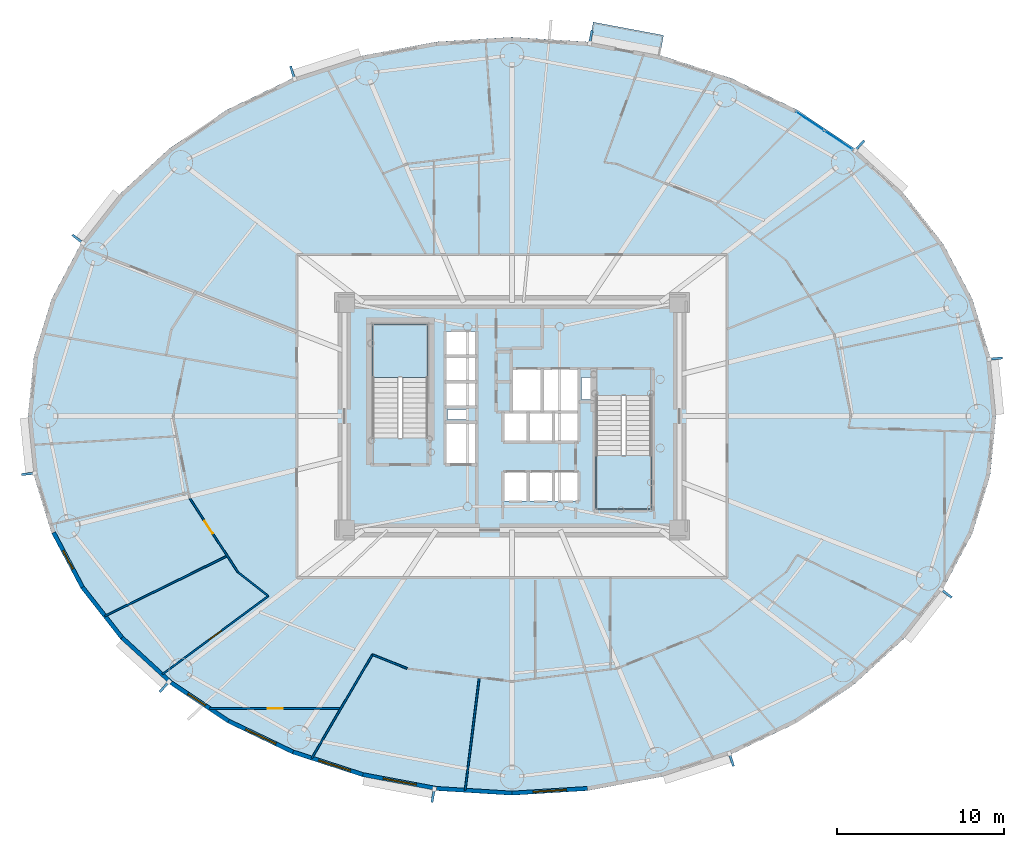
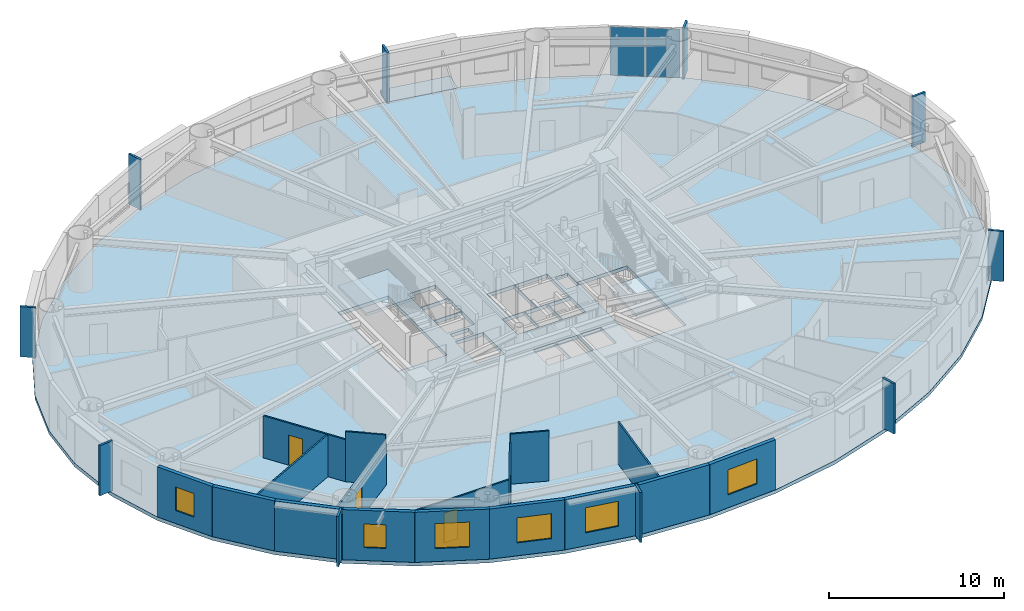
# One storey, part 9 of 20: 17 walls, 12 plates, 6 windows, 4 slabs, 3 doors, 9 openings, 3 elements without a shape of their own.
"""IFC4 building model written with IfcOpenShell, lengths in metres."""

from ifc_helpers import new_model, si_unit, direction, frame, frame_2d, origin, origin_2d, place, context, subcontext, project, spatial, polyline, rectangle, outline, extrude, source, transform, mapped, material, layer, layer_set, type_object, element, fill, aggregate, save


model = new_model("IFC4")

# Units and contexts
model_context = context("Model", 3, precision=1e-05, world=origin(), true_north=direction((0.0, 1.0)))
body_context = subcontext(model_context, "Body", "Model", "MODEL_VIEW")
ifc_project = project(units=[si_unit("LENGTHUNIT", "METRE"), si_unit("AREAUNIT", "SQUARE_METRE"), si_unit("VOLUMEUNIT", "CUBIC_METRE"), si_unit("PLANEANGLEUNIT", "RADIAN"), si_unit("MASSUNIT", "GRAM", prefix="KILO")], contexts=[model_context])

# Site, building, storey
site_placement = place(None, origin())
site = spatial("IfcSite", under=ifc_project, at=site_placement, CompositionType="ELEMENT")
building_placement = place(site_placement, origin())
building = spatial("IfcBuilding", under=site, at=building_placement, Name="Linh Dai School and Residence Tower", CompositionType="ELEMENT")
storey_placement = place(building_placement, frame((0.0, 0.0, 127.199951171875)))
storey = spatial("IfcBuildingStorey", under=building, at=storey_placement, Name="L30", CompositionType="ELEMENT", Elevation=127.199951171875)

# Slabs
ifc_material_1 = material(Name="Concrete B45 (C35/45)", Category="concrete")
ifc_layer_1 = layer(ifc_material_1, 0.219970703125)
ifc_layer_set_1 = layer_set([ifc_layer_1], Name="Concrete B45 (C35/45)")
slab_type_1 = type_object("IfcSlabType", Name="SLB-BALC-220", PredefinedType="FLOOR", material=ifc_layer_set_1)
slab_1_placement = place(storey_placement, frame((0.0, 0.0, -0.219970703125)))
element("IfcSlab", 1, at=slab_1_placement, inside=storey, type_object=slab_type_1, Name="L30 Sliding Balcony Slab 09", PredefinedType="FLOOR", context=body_context, shape_type="SweptSolid", body=[
    extrude(outline(polyline([(40.612060546875, 49.253173828125), (44.809814453125, 48.4638671875), (45.050048828125, 49.74169921875), (40.852294921875, 50.53076171875), (40.612060546875, 49.253173828125)])), origin(), (0.0, 0.0, 1.0), 0.219970703125),
])
ifc_layer_2 = layer(ifc_material_1, 0.25)
ifc_layer_set_2 = layer_set([ifc_layer_2], Name="Concrete B45 (C35/45)")
slab_type_2 = type_object("IfcSlabType", Name="SLB-FLR250", PredefinedType="FLOOR", material=ifc_layer_set_2)
slab_2_placement = place(storey_placement, frame((0.0, 0.0, -0.25)))
element("IfcSlab", 2, at=slab_2_placement, inside=storey, type_object=slab_type_2, Name="L30 Composite Structural Floor Slab", PredefinedType="FLOOR", context=body_context, shape_type="SweptSolid", body=[
    extrude(outline(polyline([(64.89990234375, 27.0), (64.544189453125, 30.5400390625), (63.485595703125, 33.9931640625), (61.75, 37.27392578125), (59.380615234375, 40.301513671875), (56.435302734375, 43.001708984375), (52.987060546875, 45.30810546875), (49.120361328125, 47.16357421875), (44.9306640625, 48.5224609375), (40.52099609375, 49.351318359375), (36.0, 49.6298828125), (31.47900390625, 49.351318359375), (27.0693359375, 48.5224609375), (22.879638671875, 47.16357421875), (19.012939453125, 45.30810546875), (15.564697265625, 43.001708984375), (12.619384765625, 40.301513671875), (10.25, 37.27392578125), (8.514404296875, 33.9931640625), (7.455810546875, 30.5400390625), (7.10009765625, 27.0), (7.455810546875, 23.4599609375), (8.514404296875, 20.0068359375), (10.25, 16.72607421875), (12.619384765625, 13.698486328125), (15.564697265625, 10.998291015625), (19.012939453125, 8.69189453125), (22.879638671875, 6.83642578125), (27.0693359375, 5.4775390625), (31.47900390625, 4.648681640625), (36.0, 4.3701171875), (40.52099609375, 4.648681640625), (44.9306640625, 5.4775390625), (49.120361328125, 6.83642578125), (52.987060546875, 8.69189453125), (56.435302734375, 10.998291015625), (59.380615234375, 13.698486328125), (61.75, 16.72607421875), (63.485595703125, 20.0068359375), (64.544189453125, 23.4599609375), (64.89990234375, 27.0)]), holes=[polyline([(30.97998046875, 25.699951171875), (30.97998046875, 32.5), (27.679931640625, 32.5), (27.679931640625, 25.699951171875), (30.97998046875, 25.699951171875)]), polyline([(41.02001953125, 28.25), (41.02001953125, 21.449951171875), (44.320068359375, 21.449951171875), (44.320068359375, 28.25), (41.02001953125, 28.25)]), polyline([(35.97998046875, 27.280029296875), (37.77001953125, 27.280029296875), (37.77001953125, 29.820068359375), (35.97998046875, 29.820068359375), (35.97998046875, 27.280029296875)]), polyline([(32.030029296875, 24.1298828125), (33.8701171875, 24.1298828125), (33.8701171875, 26.6201171875), (32.030029296875, 26.6201171875), (32.030029296875, 24.1298828125)]), polyline([(37.830078125, 27.280029296875), (39.969970703125, 27.280029296875), (39.969970703125, 29.820068359375), (37.830078125, 29.820068359375), (37.830078125, 27.280029296875)]), polyline([(35.47998046875, 21.929931640625), (36.929931640625, 21.929931640625), (36.929931640625, 23.669921875), (35.47998046875, 23.669921875), (35.47998046875, 21.929931640625)]), polyline([(36.989990234375, 21.929931640625), (38.449951171875, 21.929931640625), (38.449951171875, 23.669921875), (36.989990234375, 23.669921875), (36.989990234375, 21.929931640625)]), polyline([(38.510009765625, 21.929931640625), (39.969970703125, 21.929931640625), (39.969970703125, 23.669921875), (38.510009765625, 23.669921875), (38.510009765625, 21.929931640625)]), polyline([(32.030029296875, 27.580078125), (33.8701171875, 27.580078125), (33.8701171875, 29.030029296875), (32.030029296875, 29.030029296875), (32.030029296875, 27.580078125)]), polyline([(32.030029296875, 29.090087890625), (33.8701171875, 29.090087890625), (33.8701171875, 30.550048828125), (32.030029296875, 30.550048828125), (32.030029296875, 29.090087890625)]), polyline([(32.030029296875, 30.610107421875), (33.8701171875, 30.610107421875), (33.8701171875, 32.070068359375), (32.030029296875, 32.070068359375), (32.030029296875, 30.610107421875)]), polyline([(35.47998046875, 25.47998046875), (36.929931640625, 25.47998046875), (36.929931640625, 27.219970703125), (35.47998046875, 27.219970703125), (35.47998046875, 25.47998046875)]), polyline([(36.989990234375, 25.47998046875), (38.449951171875, 25.47998046875), (38.449951171875, 27.219970703125), (36.989990234375, 27.219970703125), (36.989990234375, 25.47998046875)]), polyline([(38.510009765625, 25.47998046875), (39.969970703125, 25.47998046875), (39.969970703125, 27.219970703125), (38.510009765625, 27.219970703125), (38.510009765625, 25.47998046875)]), polyline([(40.14990234375, 28.0), (40.14990234375, 29.300048828125), (41.0, 29.300048828125), (41.0, 28.280029296875), (40.989990234375, 28.280029296875), (40.989990234375, 28.0), (40.14990234375, 28.0)]), polyline([(32.14990234375, 26.800048828125), (33.35009765625, 26.800048828125), (33.35009765625, 27.39990234375), (32.14990234375, 27.39990234375), (32.14990234375, 26.800048828125)])]), origin(), (0.0, 0.0, 1.0), 0.25),
])

# Stair, slab
stair_type = type_object("IfcStairType", Name="ST-DOG-1550-R1442", PredefinedType="HALF_TURN_STAIR", material=ifc_material_1)
stair_1_placement = place(storey_placement, origin())
stair_1 = element("IfcStair", 3, at=stair_1_placement, inside=storey, type_object=stair_type, Name="L30 Core Smokeproof Exit Stair ST1", PredefinedType="HALF_TURN_STAIR")
ifc_layer_3 = layer(ifc_material_1, 0.199951171875)
ifc_layer_set_3 = layer_set([ifc_layer_3], Name="Concrete B45 (C35/45)")
slab_type_3 = type_object("IfcSlabType", Name="SLB-ST-LANDING-200", PredefinedType="LANDING", material=ifc_layer_set_3)
slab_3_placement = place(storey_placement, frame((0.0, 0.0, 1.675048828125)))
slab_3 = element("IfcSlab", 4, at=slab_3_placement, type_object=slab_type_3, Name="ST1 landing 1", PredefinedType="LANDING", context=body_context, shape_type="SweptSolid", body=[
    extrude(outline(polyline([(30.97998046875, 29.300048828125), (30.97998046875, 32.5), (27.679931640625, 32.5), (27.679931640625, 29.300048828125), (30.97998046875, 29.300048828125)])), origin(), (0.0, 0.0, 1.0), 0.199951171875),
])
aggregate(stair_1, [slab_3])

stair_2_placement = place(storey_placement, origin())
stair_2 = element("IfcStair", 5, at=stair_2_placement, inside=storey, type_object=stair_type, Name="L30 Core Smokeproof Exit Stair ST2", PredefinedType="HALF_TURN_STAIR")
slab_4_placement = place(storey_placement, frame((0.0, 0.0, 1.675048828125)))
slab_4 = element("IfcSlab", 6, at=slab_4_placement, type_object=slab_type_3, Name="ST2 landing 1", PredefinedType="LANDING", context=body_context, shape_type="SweptSolid", body=[
    extrude(outline(polyline([(41.02001953125, 24.64990234375), (41.02001953125, 21.449951171875), (44.320068359375, 21.449951171875), (44.320068359375, 24.64990234375), (41.02001953125, 24.64990234375)])), origin(), (0.0, 0.0, 1.0), 0.199951171875),
])
aggregate(stair_2, [slab_4])

# Plates
ifc_material_2 = material(Name="Precast Concrete B45 (C35/45)", Category="concrete")
ifc_layer_4 = layer(ifc_material_2, 0.139892578125)
ifc_layer_set_4 = layer_set([ifc_layer_4], Name="Precast Concrete B45 (C35/45)")
plate_type_1 = type_object("IfcPlateType", Name="FIN-TC-900x140", PredefinedType="USERDEFINED", material=ifc_layer_set_4)
shared_shape_1 = source(origin(), body_context, "Body", "SweptSolid", [
    extrude(rectangle(XDim=0.89990234375, YDim=0.139892578125, at=origin_2d()), origin(), (0.0, 0.0, 1.0), 3.5),
])
for number, where, z_axis, x_axis, name in (
    (7, (64.841552734375, 30.43701171875, 0.0), (0.0, 0.0, 1.0), (0.994986703684, 0.100007297192, 0.0), "L30 Precast Terracotta Radial Fin 01"),
    (8, (56.723876953125, 43.12451171875, 0.0), (0.0, 0.0, 1.0), (0.675783395482, 0.737100266172, 0.0), "L30 Precast Terracotta Radial Fin 05"),
    (9, (40.69921875, 49.608154296875, 0.0), (0.0, 0.0, 1.0), (0.18475466193, 0.982784673718, 0.0), "L30 Precast Terracotta Radial Fin 09"),
    (10, (22.91357421875, 47.474365234375, 0.0), (0.0, 0.0, 1.0), (-0.308522363457, 0.951217089442, 0.0), "L30 Precast Terracotta Radial Fin 13"),
    (11, (10.105712890625, 37.552734375, 0.0), (0.0, 0.0, 1.0), (-0.787507539838, 0.616305017583, 0.0), "L30 Precast Terracotta Radial Fin 17"),
    (12, (7.158447265625, 23.56298828125, 0.0), (0.0, 0.0, 1.0), (-0.994986703684, -0.100007297192, 0.0), "L30 Precast Terracotta Radial Fin 21"),
    (13, (15.276123046875, 10.87548828125, 0.0), (0.0, 0.0, 1.0), (-0.675783395482, -0.737100266172, 0.0), "L30 Precast Terracotta Radial Fin 25"),
    (14, (31.30078125, 4.391845703125, 0.0), (0.0, 0.0, 1.0), (-0.18475466193, -0.982784673718, 0.0), "L30 Precast Terracotta Radial Fin 29"),
    (15, (49.08642578125, 6.525634765625, 0.0), (0.0, 0.0, 1.0), (0.308522363457, -0.951217089442, 0.0), "L30 Precast Terracotta Radial Fin 33"),
    (16, (61.894287109375, 16.447265625, 0.0), (0.0, 0.0, 1.0), (0.787507539838, -0.616305017583, 0.0), "L30 Precast Terracotta Radial Fin 37"),
):
    element("IfcPlate", number, at=place(storey_placement, frame(where, z_axis=z_axis, x_axis=x_axis)), inside=storey, type_object=plate_type_1, Name=name, ObjectType="RADIAL FIN", PredefinedType="USERDEFINED", context=body_context, shape_type="MappedRepresentation", body=[
        mapped(shared_shape_1, transform((0.0, 0.0, 0.0), x_axis=(1.0, 0.0, 0.0), y_axis=(0.0, 1.0, 0.0), z_axis=(0.0, 0.0, 1.0), scale=1.0)),
    ])

# Curtain wall, plates
ifc_material_3 = material(Name="Aluminium Anodised Curtain Wall", Category="aluminium")
ifc_layer_5 = layer(ifc_material_3, 0.14990234375)
ifc_layer_set_5 = layer_set([ifc_layer_5], Name="Aluminium Anodised Curtain Wall")
curtain_wall_type = type_object("IfcCurtainWallType", Name="CW-SYS-4", PredefinedType="USERDEFINED", material=ifc_layer_set_5)
curtain_wall_placement = place(storey_placement, origin())
curtain_wall = element("IfcCurtainWall", 17, at=curtain_wall_placement, inside=storey, type_object=curtain_wall_type, Name="L30 CW4 Curtain Wall 06", ObjectType="RIBBON CURTAIN WALL", PredefinedType="USERDEFINED")
ifc_material_4 = material(Name="Double Low-E Insulated Glazing", Category="glass")
ifc_layer_6 = layer(ifc_material_4, 0.02587890625)
ifc_layer_set_6 = layer_set([ifc_layer_6], Name="Double Low-E Insulated Glazing")
plate_type_2 = type_object("IfcPlateType", Name="CW-SYS-4-PAN", PredefinedType="CURTAIN_PANEL", material=ifc_layer_set_6)
shared_shape_2 = source(origin(), body_context, "Body", "SweptSolid", [
    extrude(rectangle(XDim=1.987060546875, YDim=0.02587890625, at=origin_2d()), origin(), (0.0, 0.0, 1.0), 3.39599609375),
])
plate_1_placement = place(storey_placement, frame((53.794189453125, 44.6181640625, 0.052001953125), z_axis=(0.0, 0.0, 1.0), x_axis=(0.831240347736, -0.555913198527, 0.0)))
plate_1 = element("IfcPlate", 18, at=plate_1_placement, type_object=plate_type_2, Name="CW4 panel 1.1", PredefinedType="CURTAIN_PANEL", context=body_context, shape_type="MappedRepresentation", body=[
    mapped(shared_shape_2, transform((0.0, 0.0, 0.0), x_axis=(1.0, 0.0, 0.0), y_axis=(0.0, 1.0, 0.0), z_axis=(0.0, 0.0, 1.0), scale=1.0)),
])
plate_2_placement = place(storey_placement, frame((55.4892578125, 43.484619140625, 0.052001953125), z_axis=(0.0, 0.0, 1.0), x_axis=(0.831240347736, -0.555913198527, 0.0)))
plate_2 = element("IfcPlate", 19, at=plate_2_placement, type_object=plate_type_2, Name="CW4 panel 2.1", PredefinedType="CURTAIN_PANEL", context=body_context, shape_type="MappedRepresentation", body=[
    mapped(shared_shape_2, transform((0.0, 0.0, 0.0), x_axis=(1.0, 0.0, 0.0), y_axis=(0.0, 1.0, 0.0), z_axis=(0.0, 0.0, 1.0), scale=1.0)),
])
aggregate(curtain_wall, [plate_1, plate_2])

# Wall, opening, window
ifc_layer_7 = layer(ifc_material_2, 0.239990234375)
ifc_layer_set_7 = layer_set([ifc_layer_7], Name="Precast Concrete B45 (C35/45)")
wall_type_1 = type_object("IfcWallType", Name="EW-TC-240", PredefinedType="SOLIDWALL", material=ifc_layer_set_7)
wall_1_placement = place(storey_placement, frame((10.354736328125, 16.79443359375, 0.0), z_axis=(0.0, 0.0, 1.0), x_axis=(-0.467614004126, 0.883932770716, 0.0)))
wall_1 = element("IfcWall", 20, at=wall_1_placement, inside=storey, type_object=wall_type_1, Name="L30 Terracotta Exterior Wall 23", PredefinedType="SOLIDWALL", context=body_context, shape_type="SweptSolid", body=[
    extrude(rectangle(XDim=3.688720703125, YDim=0.239990234375, at=frame_2d((1.84423828125, 0.0))), origin(), (0.0, 0.0, 1.0), 3.5),
])
opening_1_placement = place(wall_1_placement, frame((1.21923828125, 0.0, 0.89990234375)))
opening_1 = element("IfcOpeningElement", 21, at=opening_1_placement, cuts=wall_1, Name="Opening W3", PredefinedType="OPENING", context=body_context, shape_type="SweptSolid", body=[
    extrude(rectangle(XDim=1.25, YDim=1.64990234375, at=origin_2d()), frame((0.625, 0.1298828125, 0.824951171875), z_axis=(0.0, -1.0, 0.0), x_axis=(1.0, 0.0, 0.0)), (0.0, 0.0, 1.0), 0.260009765625),
])
window_type_1 = type_object("IfcWindowType", Name="WN-RES-1250x1650", PartitioningType="SINGLE_PANEL", PredefinedType="WINDOW", material=ifc_material_4)
shared_shape_3 = source(origin(), body_context, "Body", "SweptSolid", [
    extrude(rectangle(XDim=1.25, YDim=1.64990234375, at=origin_2d()), frame((0.625, 0.030029296875, 0.824951171875), z_axis=(0.0, -1.0, 0.0), x_axis=(1.0, 0.0, 0.0)), (0.0, 0.0, 1.0), 0.06005859375),
])
window_1_placement = place(opening_1_placement, origin())
window_1 = element("IfcWindow", 22, at=window_1_placement, inside=storey, type_object=window_type_1, Name="L30 Dwelling Window U3001-BD2", OverallHeight=1.64990234375, OverallWidth=1.25, PartitioningType="SINGLE_PANEL", PredefinedType="WINDOW", context=body_context, shape_type="MappedRepresentation", body=[
    mapped(shared_shape_3, transform((0.0, 0.0, 0.0), x_axis=(1.0, 0.0, 0.0), y_axis=(0.0, 1.0, 0.0), z_axis=(0.0, 0.0, 1.0), scale=1.0)),
])
fill(opening_1, window_1)

# Walls
wall_2_placement = place(storey_placement, frame((12.7109375, 13.783447265625, 0.0), z_axis=(0.0, 0.0, 1.0), x_axis=(-0.616272103517, 0.787533297345, 0.0)))
element("IfcWall", 23, at=wall_2_placement, inside=storey, type_object=wall_type_1, Name="L30 Terracotta Exterior Wall 24", PredefinedType="SOLIDWALL", context=body_context, shape_type="SweptSolid", body=[
    extrude(rectangle(XDim=3.8232421875, YDim=0.239990234375, at=frame_2d((1.91162109375, 0.0))), origin(), (0.0, 0.0, 1.0), 3.5),
])
wall_3_placement = place(storey_placement, frame((15.6416015625, 11.0966796875, 0.0), z_axis=(0.0, 0.0, 1.0), x_axis=(-0.737113356241, 0.675769117414, 0.0)))
element("IfcWall", 24, at=wall_3_placement, inside=storey, type_object=wall_type_1, Name="L30 Terracotta Exterior Wall 25", PredefinedType="SOLIDWALL", context=body_context, shape_type="SweptSolid", body=[
    extrude(rectangle(XDim=3.975830078125, YDim=0.239990234375, at=frame_2d((1.98779296875, 0.0))), origin(), (0.0, 0.0, 1.0), 3.5),
])

# Wall, opening, window
wall_4_placement = place(storey_placement, frame((19.07470703125, 8.800537109375, 0.0), z_axis=(0.0, 0.0, 1.0), x_axis=(-0.831221811447, 0.555940914284, 0.0)))
wall_4 = element("IfcWall", 25, at=wall_4_placement, inside=storey, type_object=wall_type_1, Name="L30 Terracotta Exterior Wall 26", PredefinedType="SOLIDWALL", context=body_context, shape_type="SweptSolid", body=[
    extrude(rectangle(XDim=4.130126953125, YDim=0.239990234375, at=frame_2d((2.06494140625, 0.0))), origin(), (0.0, 0.0, 1.0), 3.5),
])
opening_2_placement = place(wall_4_placement, frame((1.662841796875, 0.0, 0.89990234375)))
opening_2 = element("IfcOpeningElement", 26, at=opening_2_placement, cuts=wall_4, Name="Opening W3", PredefinedType="OPENING", context=body_context, shape_type="SweptSolid", body=[
    extrude(rectangle(XDim=1.25, YDim=1.64990234375, at=origin_2d()), frame((0.625, 0.1298828125, 0.824951171875), z_axis=(0.0, -1.0, 0.0), x_axis=(1.0, 0.0, 0.0)), (0.0, 0.0, 1.0), 0.260009765625),
])
window_2_placement = place(opening_2_placement, origin())
window_2 = element("IfcWindow", 27, at=window_2_placement, inside=storey, type_object=window_type_1, Name="L30 Dwelling Window U3001-LIV", OverallHeight=1.64990234375, OverallWidth=1.25, PartitioningType="SINGLE_PANEL", PredefinedType="WINDOW", context=body_context, shape_type="MappedRepresentation", body=[
    mapped(shared_shape_3, transform((0.0, 0.0, 0.0), x_axis=(1.0, 0.0, 0.0), y_axis=(0.0, 1.0, 0.0), z_axis=(0.0, 0.0, 1.0), scale=1.0)),
])
fill(opening_2, window_2)

wall_5_placement = place(storey_placement, frame((22.926025390625, 6.95263671875, 0.0), z_axis=(0.0, 0.0, 1.0), x_axis=(-0.901589935876, 0.432591709962, 0.0)))
wall_5 = element("IfcWall", 28, at=wall_5_placement, inside=storey, type_object=wall_type_1, Name="L30 Terracotta Exterior Wall 27", PredefinedType="SOLIDWALL", context=body_context, shape_type="SweptSolid", body=[
    extrude(rectangle(XDim=4.271728515625, YDim=0.239990234375, at=frame_2d((2.1357421875, 0.0))), origin(), (0.0, 0.0, 1.0), 3.5),
])
opening_3_placement = place(wall_5_placement, frame((1.1357421875, 0.0, 0.89990234375)))
opening_3 = element("IfcOpeningElement", 29, at=opening_3_placement, cuts=wall_5, Name="Opening W1", PredefinedType="OPENING", context=body_context, shape_type="SweptSolid", body=[
    extrude(rectangle(XDim=2.0, YDim=1.75, at=origin_2d()), frame((1.0, 0.1298828125, 0.875), z_axis=(0.0, -1.0, 0.0), x_axis=(1.0, 0.0, 0.0)), (0.0, 0.0, 1.0), 0.260009765625),
])
window_type_2 = type_object("IfcWindowType", Name="WN-RES-2000x1750", PartitioningType="DOUBLE_PANEL_VERTICAL", PredefinedType="WINDOW", material=ifc_material_4)
shared_shape_4 = source(origin(), body_context, "Body", "SweptSolid", [
    extrude(rectangle(XDim=2.0, YDim=1.75, at=origin_2d()), frame((1.0, 0.030029296875, 0.875), z_axis=(0.0, -1.0, 0.0), x_axis=(1.0, 0.0, 0.0)), (0.0, 0.0, 1.0), 0.06005859375),
])
window_3_placement = place(opening_3_placement, origin())
window_3 = element("IfcWindow", 30, at=window_3_placement, inside=storey, type_object=window_type_2, Name="L30 Exterior Window 27.1", OverallHeight=1.75, OverallWidth=2.0, PartitioningType="DOUBLE_PANEL_VERTICAL", PredefinedType="WINDOW", context=body_context, shape_type="MappedRepresentation", body=[
    mapped(shared_shape_4, transform((0.0, 0.0, 0.0), x_axis=(1.0, 0.0, 0.0), y_axis=(0.0, 1.0, 0.0), z_axis=(0.0, 0.0, 1.0), scale=1.0)),
])
fill(opening_3, window_3)

wall_6_placement = place(storey_placement, frame((27.100341796875, 5.5986328125, 0.0), z_axis=(0.0, 0.0, 1.0), x_axis=(-0.951211346073, 0.308540070495, 0.0)))
wall_6 = element("IfcWall", 31, at=wall_6_placement, inside=storey, type_object=wall_type_1, Name="L30 Terracotta Exterior Wall 28", PredefinedType="SOLIDWALL", context=body_context, shape_type="SweptSolid", body=[
    extrude(rectangle(XDim=4.388427734375, YDim=0.239990234375, at=frame_2d((2.1943359375, 0.0))), origin(), (0.0, 0.0, 1.0), 3.5),
])
opening_4_placement = place(wall_6_placement, frame((0.784912109375, 0.0, 0.89990234375)))
opening_4 = element("IfcOpeningElement", 32, at=opening_4_placement, cuts=wall_6, Name="Opening W1", PredefinedType="OPENING", context=body_context, shape_type="SweptSolid", body=[
    extrude(rectangle(XDim=2.0, YDim=1.75, at=origin_2d()), frame((1.0, 0.1298828125, 0.875), z_axis=(0.0, -1.0, 0.0), x_axis=(1.0, 0.0, 0.0)), (0.0, 0.0, 1.0), 0.260009765625),
])
window_4_placement = place(opening_4_placement, origin())
window_4 = element("IfcWindow", 33, at=window_4_placement, inside=storey, type_object=window_type_2, Name="L30 Exterior Window 28.1", OverallHeight=1.75, OverallWidth=2.0, PartitioningType="DOUBLE_PANEL_VERTICAL", PredefinedType="WINDOW", context=body_context, shape_type="MappedRepresentation", body=[
    mapped(shared_shape_4, transform((0.0, 0.0, 0.0), x_axis=(1.0, 0.0, 0.0), y_axis=(0.0, 1.0, 0.0), z_axis=(0.0, 0.0, 1.0), scale=1.0)),
])
fill(opening_4, window_4)

wall_7_placement = place(storey_placement, frame((31.494384765625, 4.772705078125, 0.0), z_axis=(0.0, 0.0, 1.0), x_axis=(-0.982789252177, 0.184730305596, 0.0)))
wall_7 = element("IfcWall", 34, at=wall_7_placement, inside=storey, type_object=wall_type_1, Name="L30 Terracotta Exterior Wall 29", PredefinedType="SOLIDWALL", context=body_context, shape_type="SweptSolid", body=[
    extrude(rectangle(XDim=4.470947265625, YDim=0.239990234375, at=frame_2d((2.2353515625, 0.0))), origin(), (0.0, 0.0, 1.0), 3.5),
])
opening_5_placement = place(wall_7_placement, frame((1.235595703125, 0.0, 0.89990234375)))
opening_5 = element("IfcOpeningElement", 35, at=opening_5_placement, cuts=wall_7, Name="Opening W1", PredefinedType="OPENING", context=body_context, shape_type="SweptSolid", body=[
    extrude(rectangle(XDim=2.0, YDim=1.75, at=origin_2d()), frame((1.0, 0.1298828125, 0.875), z_axis=(0.0, -1.0, 0.0), x_axis=(1.0, 0.0, 0.0)), (0.0, 0.0, 1.0), 0.260009765625),
])
window_5_placement = place(opening_5_placement, origin())
window_5 = element("IfcWindow", 36, at=window_5_placement, inside=storey, type_object=window_type_2, Name="L30 Exterior Window 29.1", OverallHeight=1.75, OverallWidth=2.0, PartitioningType="DOUBLE_PANEL_VERTICAL", PredefinedType="WINDOW", context=body_context, shape_type="MappedRepresentation", body=[
    mapped(shared_shape_4, transform((0.0, 0.0, 0.0), x_axis=(1.0, 0.0, 0.0), y_axis=(0.0, 1.0, 0.0), z_axis=(0.0, 0.0, 1.0), scale=1.0)),
])
fill(opening_5, window_5)

# Wall
wall_8_placement = place(storey_placement, frame((36.0, 4.4951171875, 0.0), z_axis=(0.0, 0.0, 1.0), x_axis=(-0.998107531589, 0.061492726276, 0.0)))
element("IfcWall", 37, at=wall_8_placement, inside=storey, type_object=wall_type_1, Name="L30 Terracotta Exterior Wall 30", PredefinedType="SOLIDWALL", context=body_context, shape_type="SweptSolid", body=[
    extrude(rectangle(XDim=4.51416015625, YDim=0.239990234375, at=frame_2d((2.257080078125, 0.0))), origin(), (0.0, 0.0, 1.0), 3.5),
])

# Wall, opening, window
wall_9_placement = place(storey_placement, frame((40.505615234375, 4.772705078125, 0.0), z_axis=(0.0, 0.0, 1.0), x_axis=(-0.998107531589, -0.061492726276, 0.0)))
wall_9 = element("IfcWall", 38, at=wall_9_placement, inside=storey, type_object=wall_type_1, Name="L30 Terracotta Exterior Wall 31", PredefinedType="SOLIDWALL", context=body_context, shape_type="SweptSolid", body=[
    extrude(rectangle(XDim=4.51416015625, YDim=0.239990234375, at=frame_2d((2.257080078125, 0.0))), origin(), (0.0, 0.0, 1.0), 3.5),
])
opening_6_placement = place(wall_9_placement, frame((1.257080078125, 0.0, 0.89990234375)))
opening_6 = element("IfcOpeningElement", 39, at=opening_6_placement, cuts=wall_9, Name="Opening W1", PredefinedType="OPENING", context=body_context, shape_type="SweptSolid", body=[
    extrude(rectangle(XDim=2.0, YDim=1.75, at=origin_2d()), frame((1.0, 0.1298828125, 0.875), z_axis=(0.0, -1.0, 0.0), x_axis=(1.0, 0.0, 0.0)), (0.0, 0.0, 1.0), 0.260009765625),
])
window_6_placement = place(opening_6_placement, origin())
window_6 = element("IfcWindow", 40, at=window_6_placement, inside=storey, type_object=window_type_2, Name="L30 Exterior Window 31.1", OverallHeight=1.75, OverallWidth=2.0, PartitioningType="DOUBLE_PANEL_VERTICAL", PredefinedType="WINDOW", context=body_context, shape_type="MappedRepresentation", body=[
    mapped(shared_shape_4, transform((0.0, 0.0, 0.0), x_axis=(1.0, 0.0, 0.0), y_axis=(0.0, 1.0, 0.0), z_axis=(0.0, 0.0, 1.0), scale=1.0)),
])
fill(opening_6, window_6)

# Wall
ifc_material_5 = material(Name="Gypsum Plasterboard Acoustic Stud Partition", Category="masonry")
ifc_layer_8 = layer(ifc_material_5, 0.10009765625)
ifc_layer_set_8 = layer_set([ifc_layer_8], Name="Gypsum Plasterboard Acoustic Stud Partition")
wall_type_2 = type_object("IfcWallType", Name="IW-UNIT-100", PredefinedType="PARTITIONING", material=ifc_layer_set_8)
wall_10_placement = place(storey_placement, frame((11.697998046875, 15.06982421875, 0.0), z_axis=(0.0, 0.0, 1.0), x_axis=(0.89766113801, 0.440686375222, 0.0)))
element("IfcWall", 41, at=wall_10_placement, inside=storey, type_object=wall_type_2, Name="L30 Interior Partition Wall 005", PredefinedType="PARTITIONING", context=body_context, shape_type="SweptSolid", body=[
    extrude(rectangle(XDim=8.138916015625, YDim=0.10009765625, at=frame_2d((4.0693359375, 0.0))), origin(), (0.0, 0.0, 1.0), 2.93505859375),
])

# Wall, opening, door
wall_11_placement = place(storey_placement, frame((15.108154296875, 11.5791015625, 0.0), z_axis=(0.0, 0.0, 1.0), x_axis=(0.804563867784, 0.593866131932, 0.0)))
wall_11 = element("IfcWall", 42, at=wall_11_placement, inside=storey, type_object=wall_type_2, Name="L30 Interior Partition Wall 006", PredefinedType="PARTITIONING", context=body_context, shape_type="SweptSolid", body=[
    extrude(rectangle(XDim=7.887451171875, YDim=0.10009765625, at=frame_2d((3.94384765625, 0.0))), origin(), (0.0, 0.0, 1.0), 2.93505859375),
])
opening_7_placement = place(wall_11_placement, frame((3.493896484375, 0.0, 0.0)))
opening_7 = element("IfcOpeningElement", 43, at=opening_7_placement, cuts=wall_11, Name="Opening D05", PredefinedType="OPENING", context=body_context, shape_type="SweptSolid", body=[
    extrude(rectangle(XDim=0.89990234375, YDim=2.10009765625, at=origin_2d()), frame((0.449951171875, 0.06005859375, 1.050048828125), z_axis=(0.0, -1.0, 0.0), x_axis=(1.0, 0.0, 0.0)), (0.0, 0.0, 1.0), 0.1201171875),
])
ifc_material_6 = material(Name="Engineered Timber Internal Door", Category="wood")
door_type = type_object("IfcDoorType", Name="DR-INT-900x2100", OperationType="NOTDEFINED", PredefinedType="DOOR", material=ifc_material_6)
shared_shape_5 = source(origin(), body_context, "Body", "SweptSolid", [
    extrude(rectangle(XDim=0.89990234375, YDim=2.10009765625, at=origin_2d()), frame((0.449951171875, 0.02490234375, 1.050048828125), z_axis=(0.0, -1.0, 0.0), x_axis=(1.0, 0.0, 0.0)), (0.0, 0.0, 1.0), 0.050048828125),
])
door_1_placement = place(opening_7_placement, origin())
door_1 = element("IfcDoor", 44, at=door_1_placement, inside=storey, type_object=door_type, Name="L30 Apartment U3001 Study Door", OperationType="SINGLE_SWING_LEFT", OverallHeight=2.10009765625, OverallWidth=0.89990234375, PredefinedType="DOOR", context=body_context, shape_type="MappedRepresentation", body=[
    mapped(shared_shape_5, transform((0.0, 0.0, 0.0), x_axis=(1.0, 0.0, 0.0), y_axis=(0.0, 1.0, 0.0), z_axis=(0.0, 0.0, 1.0), scale=1.0)),
])
fill(opening_7, door_1)

wall_12_placement = place(storey_placement, frame((16.760009765625, 22.10498046875, 0.0), z_axis=(0.0, 0.0, 1.0), x_axis=(0.545405249109, -0.838172484781, 0.0)))
wall_12 = element("IfcWall", 45, at=wall_12_placement, inside=storey, type_object=wall_type_2, Name="L30 Interior Partition Wall 014", PredefinedType="PARTITIONING", context=body_context, shape_type="SweptSolid", body=[
    extrude(rectangle(XDim=5.2685546875, YDim=0.10009765625, at=frame_2d((2.63427734375, 0.0))), origin(), (0.0, 0.0, 1.0), 2.93505859375),
])
opening_8_placement = place(wall_12_placement, frame((1.627197265625, 0.0, 0.0)))
opening_8 = element("IfcOpeningElement", 46, at=opening_8_placement, cuts=wall_12, Name="Opening D05", PredefinedType="OPENING", context=body_context, shape_type="SweptSolid", body=[
    extrude(rectangle(XDim=0.89990234375, YDim=2.10009765625, at=origin_2d()), frame((0.449951171875, 0.06005859375, 1.050048828125), z_axis=(0.0, -1.0, 0.0), x_axis=(1.0, 0.0, 0.0)), (0.0, 0.0, 1.0), 0.1201171875),
])
door_2_placement = place(opening_8_placement, origin())
door_2 = element("IfcDoor", 47, at=door_2_placement, inside=storey, type_object=door_type, Name="L30 Apartment U3001 Principal Bedroom 2 Door", OperationType="SINGLE_SWING_RIGHT", OverallHeight=2.10009765625, OverallWidth=0.89990234375, PredefinedType="DOOR", context=body_context, shape_type="MappedRepresentation", body=[
    mapped(shared_shape_5, transform((0.0, 0.0, 0.0), x_axis=(1.0, 0.0, 0.0), y_axis=(0.0, 1.0, 0.0), z_axis=(0.0, 0.0, 1.0), scale=1.0)),
])
fill(opening_8, door_2)

wall_13_placement = place(storey_placement, frame((17.94775390625, 9.54833984375, 0.0), z_axis=(0.0, 0.0, 1.0), x_axis=(1.0, 0.0, 0.0)))
wall_13 = element("IfcWall", 48, at=wall_13_placement, inside=storey, type_object=wall_type_2, Name="L30 Interior Partition Wall 015", PredefinedType="PARTITIONING", context=body_context, shape_type="SweptSolid", body=[
    extrude(rectangle(XDim=7.833251953125, YDim=0.10009765625, at=frame_2d((3.91650390625, 0.0))), origin(), (0.0, 0.0, 1.0), 2.93505859375),
])
opening_9_placement = place(wall_13_placement, frame((3.466552734375, 0.0, 0.0)))
opening_9 = element("IfcOpeningElement", 49, at=opening_9_placement, cuts=wall_13, Name="Opening D05", PredefinedType="OPENING", context=body_context, shape_type="SweptSolid", body=[
    extrude(rectangle(XDim=0.89990234375, YDim=2.10009765625, at=origin_2d()), frame((0.449951171875, 0.06005859375, 1.050048828125), z_axis=(0.0, -1.0, 0.0), x_axis=(1.0, 0.0, 0.0)), (0.0, 0.0, 1.0), 0.1201171875),
])
door_3_placement = place(opening_9_placement, origin())
door_3 = element("IfcDoor", 50, at=door_3_placement, inside=storey, type_object=door_type, Name="L30 Apartment U3001 Kitchen Door", OperationType="SINGLE_SWING_LEFT", OverallHeight=2.10009765625, OverallWidth=0.89990234375, PredefinedType="DOOR", context=body_context, shape_type="MappedRepresentation", body=[
    mapped(shared_shape_5, transform((0.0, 0.0, 0.0), x_axis=(1.0, 0.0, 0.0), y_axis=(0.0, 1.0, 0.0), z_axis=(0.0, 0.0, 1.0), scale=1.0)),
])
fill(opening_9, door_3)

# Walls
wall_14_placement = place(storey_placement, frame((19.633544921875, 17.68896484375, 0.0), z_axis=(0.0, 0.0, 1.0), x_axis=(0.787295532256, -0.616575822499, 0.0)))
element("IfcWall", 51, at=wall_14_placement, inside=storey, type_object=wall_type_2, Name="L30 Interior Partition Wall 016", PredefinedType="PARTITIONING", context=body_context, shape_type="SweptSolid", body=[
    extrude(rectangle(XDim=2.3125, YDim=0.10009765625, at=frame_2d((1.15625, 0.0))), origin(), (0.0, 0.0, 1.0), 3.5),
])
wall_15_placement = place(storey_placement, frame((24.04541015625, 6.584228515625, 0.0), z_axis=(0.0, 0.0, 1.0), x_axis=(0.505283833512, 0.862953212863, 0.0)))
element("IfcWall", 52, at=wall_15_placement, inside=storey, type_object=wall_type_2, Name="L30 Interior Partition Wall 020", PredefinedType="PARTITIONING", context=body_context, shape_type="SweptSolid", body=[
    extrude(rectangle(XDim=7.1630859375, YDim=0.10009765625, at=frame_2d((3.58154296875, 0.0))), origin(), (0.0, 0.0, 1.0), 2.93505859375),
])
wall_16_placement = place(storey_placement, frame((27.664794921875, 12.765625, 0.0), z_axis=(0.0, 0.0, 1.0), x_axis=(0.928814037075, -0.370546197568, 0.0)))
element("IfcWall", 53, at=wall_16_placement, inside=storey, type_object=wall_type_2, Name="L30 Interior Partition Wall 023", PredefinedType="PARTITIONING", context=body_context, shape_type="SweptSolid", body=[
    extrude(rectangle(XDim=2.243408203125, YDim=0.10009765625, at=frame_2d((1.12158203125, 0.0))), origin(), (0.0, 0.0, 1.0), 3.5),
])
wall_17_placement = place(storey_placement, frame((33.20361328125, 4.662353515625, 0.0), z_axis=(0.0, 0.0, 1.0), x_axis=(0.124202862254, 0.992256846289, 0.0)))
element("IfcWall", 54, at=wall_17_placement, inside=storey, type_object=wall_type_2, Name="L30 Interior Partition Wall 035", PredefinedType="PARTITIONING", context=body_context, shape_type="SweptSolid", body=[
    extrude(rectangle(XDim=6.791259765625, YDim=0.10009765625, at=frame_2d((3.3955078125, 0.0))), origin(), (0.0, 0.0, 1.0), 2.93505859375),
])

save(model, "model.ifc")
